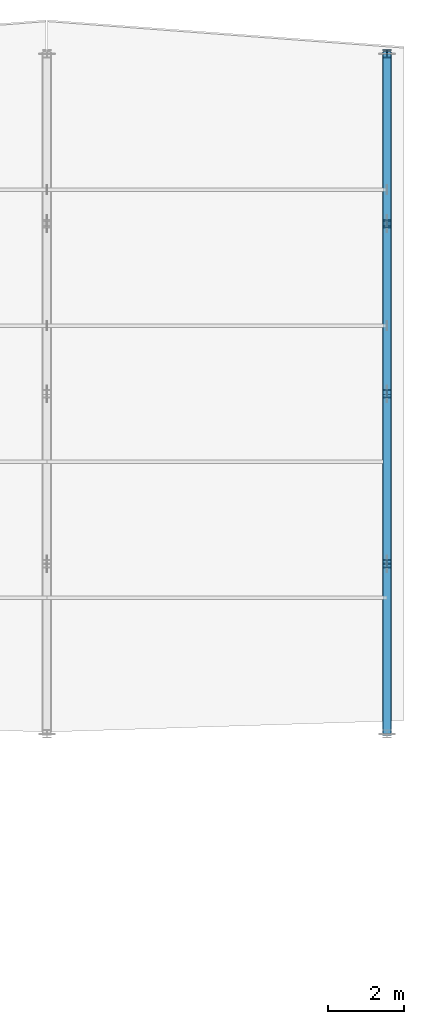
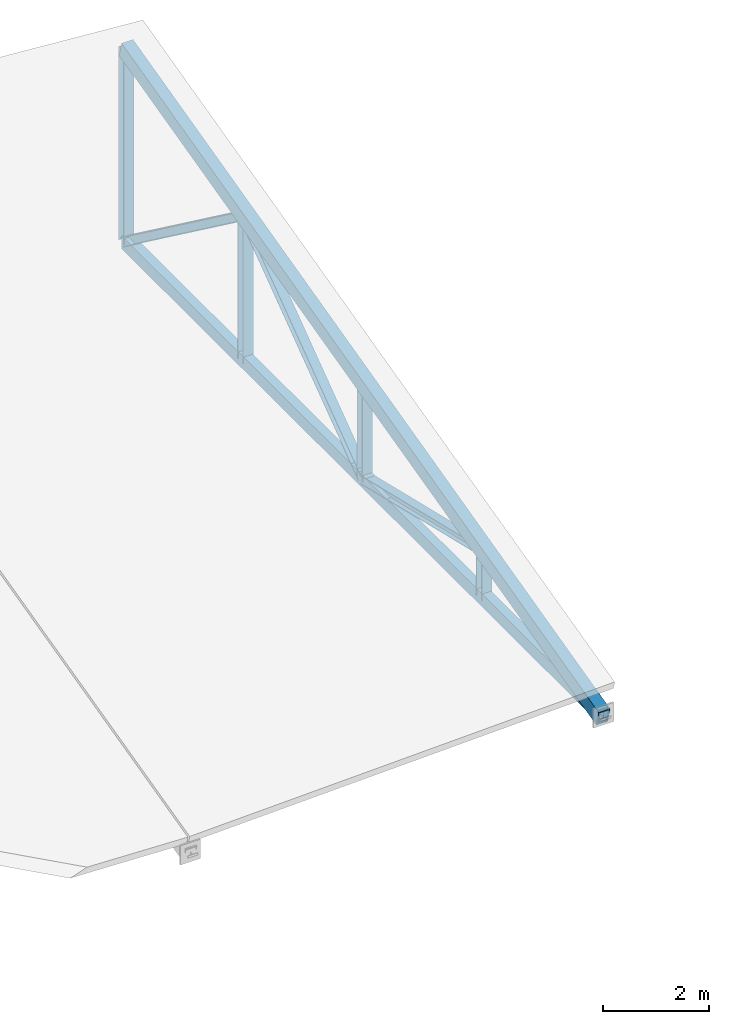
# One storey, part 13 of 36: 10 members.
"""IFC4 building model written with IfcOpenShell, lengths in metres."""

import ifcopenshell
import ifcopenshell.guid

model = None  # the IFC model being written
_history = None  # IfcOwnerHistory: only IFC2X3 demands one
_inside = {}  # id of a spatial element -> (the spatial element, [elements in it])
_under = {}  # id of a project, library or spatial element -> (it, [spatial elements below it])
_declared = {}  # id of a project -> (the project, [libraries it declares])
_typed = {}  # id of a type object -> (the type object, [elements of that type])
_made_of = {}  # id of a material, layer set ... -> (it, [elements and type objects made of it])


def new_model(schema):
    """Start an empty IFC model of exactly this schema.

    Asked for "IFC4X3", IfcOpenShell would pick the latest addendum, in which some entities
    have other attributes; the version numbers below select the first issue.
    IFC2X3 requires an IfcOwnerHistory on every rooted entity: one is made here for all.
    """
    global model, _history
    if schema == "IFC4X3":
        model = ifcopenshell.file(schema_version=(4, 3, 0, 0))
    else:
        model = ifcopenshell.file(schema=schema)
    _inside.clear()
    _under.clear()
    _declared.clear()
    _typed.clear()
    _made_of.clear()
    _history = None
    if model.schema == "IFC2X3":
        org = make("IfcOrganization", Name="unknown")
        user = make(
            "IfcPersonAndOrganization",
            ThePerson=make("IfcPerson", FamilyName="unknown"),
            TheOrganization=org,
        )
        app = make(
            "IfcApplication",
            ApplicationDeveloper=org,
            Version="unknown",
            ApplicationFullName="unknown",
            ApplicationIdentifier="unknown",
        )
        _history = make(
            "IfcOwnerHistory",
            OwningUser=user,
            OwningApplication=app,
            ChangeAction="ADDED",
            CreationDate=0,
        )
    return model


def make(cls, **values):
    """One entity of the class cls with the attributes given. An attribute that is None is left unset."""
    return model.create_entity(
        cls, **{name: value for name, value in values.items() if value is not None}
    )


def rooted(cls, **values):
    """An entity with a GlobalId (a new one), such as an element, a storey or a relation."""
    return make(cls, GlobalId=ifcopenshell.guid.new(), OwnerHistory=_history, **values)


def si_unit(unit_type, name, prefix=None):
    """IfcSIUnit, for example si_unit("LENGTHUNIT", "METRE", prefix="MILLI")."""
    return make("IfcSIUnit", UnitType=unit_type, Prefix=prefix, Name=name)


def assignment(units):
    """IfcUnitAssignment: the units of a project."""
    return None if units is None else make("IfcUnitAssignment", Units=units)


def point(xyz):
    """IfcCartesianPoint."""
    return None if xyz is None else make("IfcCartesianPoint", Coordinates=xyz)


def direction(xyz):
    """IfcDirection."""
    return None if xyz is None else make("IfcDirection", DirectionRatios=xyz)


def frame(location, z_axis=None, x_axis=None):
    """IfcAxis2Placement3D, a coordinate frame: its origin and axes. An axis left out is left unset."""
    return make(
        "IfcAxis2Placement3D",
        Location=point(location),
        Axis=direction(z_axis),
        RefDirection=direction(x_axis),
    )


def frame_2d(location, x_axis=None):
    """IfcAxis2Placement2D, a coordinate frame in the plane: its origin and x axis."""
    return make(
        "IfcAxis2Placement2D", Location=point(location), RefDirection=direction(x_axis)
    )


def origin():
    """The frame at (0, 0, 0) with its axes left unset."""
    return frame((0.0, 0.0, 0.0))


def origin_2d():
    """The frame at (0, 0) in the plane with its x axis left unset."""
    return frame_2d((0.0, 0.0))


def place(relative_to, where):
    """IfcLocalPlacement: puts the frame where relative to a parent placement (None: the world)."""
    return make(
        "IfcLocalPlacement", PlacementRelTo=relative_to, RelativePlacement=where
    )


def context(
    kind, dimensions, precision=None, world=None, true_north=None, identifier=None
):
    """IfcGeometricRepresentationContext, for example the 3D "Model" context."""
    return make(
        "IfcGeometricRepresentationContext",
        ContextIdentifier=identifier,
        ContextType=kind,
        CoordinateSpaceDimension=dimensions,
        Precision=precision,
        WorldCoordinateSystem=world,
        TrueNorth=true_north,
    )


def subcontext(parent, identifier, kind, view, scale=None):
    """IfcGeometricRepresentationSubContext, for example "Body" below "Model"."""
    return make(
        "IfcGeometricRepresentationSubContext",
        ContextIdentifier=identifier,
        ContextType=kind,
        ParentContext=parent,
        TargetScale=scale,
        TargetView=view,
    )


def project(units=None, contexts=None):
    """IfcProject with its units and contexts."""
    return rooted(
        "IfcProject",
        Name="project",
        RepresentationContexts=contexts,
        UnitsInContext=assignment(units),
    )


def spatial(cls, under=None, at=None, **own):
    """A site, building, storey or space (cls), placed at a placement, below another one or the project."""
    s = rooted(cls, ObjectPlacement=at, **own)
    if under is not None:
        _under.setdefault(under.id(), (under, []))[1].append(s)
    return s


def profile(cls, at=None, kind="AREA", **sizes):
    """A parametric profile (cls). Its sizes go by their IFC names, for example OverallWidth=200.0."""
    return make(cls, ProfileType=kind, Position=at, **sizes)


def hollow_rectangle(**sizes):
    """IfcRectangleHollowProfileDef."""
    return profile("IfcRectangleHollowProfileDef", **sizes)


def i_section(**sizes):
    """IfcIShapeProfileDef."""
    return profile("IfcIShapeProfileDef", **sizes)


def extrude(swept, where, along, depth):
    """IfcExtrudedAreaSolid: the profile swept, set in the frame where, extruded along a direction by depth."""
    return make(
        "IfcExtrudedAreaSolid",
        SweptArea=swept,
        Position=where,
        ExtrudedDirection=direction(along),
        Depth=depth,
    )


def shape(context_of_items, identifier, shape_type, items):
    """IfcShapeRepresentation: the items that make up one representation, for example the "Body"."""
    return make(
        "IfcShapeRepresentation",
        ContextOfItems=context_of_items,
        RepresentationIdentifier=identifier,
        RepresentationType=shape_type,
        Items=items,
    )


def material(Name=None, Category=None):
    """IfcMaterial."""
    return make("IfcMaterial", Name=Name, Category=Category)


def material_profile(
    of_material, cross_section, Name=None, Category=None, Priority=None
):
    """IfcMaterialProfile: a cross section and its material."""
    return make(
        "IfcMaterialProfile",
        Name=Name,
        Material=of_material,
        Profile=cross_section,
        Priority=Priority,
        Category=Category,
    )


def profile_set(profiles, Name=None, composite=None):
    """IfcMaterialProfileSet."""
    return make(
        "IfcMaterialProfileSet",
        Name=Name,
        MaterialProfiles=profiles,
        CompositeProfile=composite,
    )


def made_of(thing, what):
    """Note that an element or type object is made of a material, layer set ...; save() writes the relation."""
    if what is not None:
        _made_of.setdefault(what.id(), (what, []))[1].append(thing)
    return thing


def type_object(cls, material=None, **own):
    """A type object (cls), such as IfcWallType, which elements share."""
    return made_of(rooted(cls, **own), material)


def element(
    cls,
    number,
    at=None,
    inside=None,
    cuts=None,
    type_object=None,
    material=None,
    context=None,
    identifier="Body",
    shape_type=None,
    held_by="IfcProductDefinitionShape",
    body=None,
    shapes=None,
    **own,
):
    """One element of the class cls, such as IfcWall. Its Tag is "e" and its number.

    at: its placement. inside: the storey or other place that contains it. cuts: it is an
    opening in that element (IfcRelVoidsElement). A single representation is given by context,
    identifier, shape_type and body (its items); several are given by shapes. held_by: the class
    of the entity that holds the representations. save() writes the other relations.
    """
    e = rooted(cls, Tag="e%d" % number, ObjectPlacement=at, **own)
    if body is not None:
        shapes = [shape(context, identifier, shape_type, body)]
    if shapes is not None:
        e.Representation = make(held_by, Representations=shapes)
    if inside is not None:
        _inside.setdefault(inside.id(), (inside, []))[1].append(e)
    if cuts is not None:
        rooted(
            "IfcRelVoidsElement", RelatingBuildingElement=cuts, RelatedOpeningElement=e
        )
    if type_object is not None:
        _typed.setdefault(type_object.id(), (type_object, []))[1].append(e)
    return made_of(e, material)


def aggregate(whole, parts):
    """IfcRelAggregates: a whole, such as a stair, and the parts it consists of."""
    return rooted("IfcRelAggregates", RelatingObject=whole, RelatedObjects=parts)


def save(model, path):
    """Write the relations noted so far, then the file.

    IfcRelAggregates (storeys below a building ...), IfcRelContainedInSpatialStructure (elements
    in a storey), IfcRelDefinesByType, IfcRelAssociatesMaterial and IfcRelDeclares: one each for
    every whole, place, type object, material and project.
    """
    for whole, parts in _under.values():
        aggregate(whole, parts)
    for where, things in _inside.values():
        rooted(
            "IfcRelContainedInSpatialStructure",
            RelatedElements=things,
            RelatingStructure=where,
        )
    for kind, things in _typed.values():
        rooted("IfcRelDefinesByType", RelatedObjects=things, RelatingType=kind)
    for what, things in _made_of.values():
        rooted("IfcRelAssociatesMaterial", RelatedObjects=things, RelatingMaterial=what)
    for by, libraries in _declared.values():
        rooted("IfcRelDeclares", RelatingContext=by, RelatedDefinitions=libraries)
    model.write(path)


model = new_model("IFC4")

# Units and contexts
model_context = context("Model", 3, precision=1e-05, world=origin(), true_north=direction((0.0, 1.0)))
body_context = subcontext(model_context, "Body", "Model", "MODEL_VIEW")
ifc_project = project(units=[si_unit("LENGTHUNIT", "METRE"), si_unit("AREAUNIT", "SQUARE_METRE"), si_unit("VOLUMEUNIT", "CUBIC_METRE"), si_unit("PLANEANGLEUNIT", "RADIAN"), si_unit("MASSUNIT", "GRAM", prefix="KILO")], contexts=[model_context])

# Site, building, storey
site_placement = place(None, origin())
site = spatial("IfcSite", under=ifc_project, at=site_placement, CompositionType="ELEMENT")
building_placement = place(site_placement, origin())
building = spatial("IfcBuilding", under=site, at=building_placement, Name="Montelvaro Courts of Justice", CompositionType="ELEMENT")
storey_placement = place(building_placement, frame((0.0, 0.0, 23.39990234375)))
storey = spatial("IfcBuildingStorey", under=building, at=storey_placement, Name="L05", CompositionType="ELEMENT", Elevation=23.39990234375)

# Members
ifc_material = material(Name="Steel S355", Category="steel")
ifc_material_profile_1 = material_profile(ifc_material, i_section(OverallWidth=0.199951171875, OverallDepth=0.18994140625, WebThickness=0.006591796875, FlangeThickness=0.010009765625, at=origin_2d()), Name="HEA 200")
ifc_profile_set_1 = profile_set([ifc_material_profile_1], Name="Steel S355")
member_type_1 = type_object("IfcMemberType", Name="Mem_HEA200_Brace", PredefinedType="BRACE", material=ifc_profile_set_1)
for number, where, z_axis, x_axis, name in (
    (1, (162.0, 78.0, -0.2998046875), (0.0, 0.97263439265, 0.232340995597), (-1.0, 0.0, 0.0), "Roof Truss Web MB-02 ROOF-V2-VTR08-W1"),
    (2, (162.0, 82.5, 0.775146484375), (0.0, 0.97263439265, -0.232340995597), (-1.0, 0.0, 0.0), "Roof Truss Web MB-02 ROOF-V2-VTR08-W2"),
):
    element("IfcMember", number, at=place(storey_placement, frame(where, z_axis=z_axis, x_axis=x_axis)), inside=storey, type_object=member_type_1, Name=name, PredefinedType="BRACE", context=body_context, shape_type="SweptSolid", body=[
        extrude(i_section(OverallWidth=0.199951171875, OverallDepth=0.18994140625, WebThickness=0.006591796875, FlangeThickness=0.010009765625, at=origin_2d()), origin(), (0.0, 0.0, 1.0), 4.626708984375),
    ])
for number, where, z_axis, x_axis, name in (
    (3, (162.0, 87.0, -0.2998046875), (0.0, 0.804273161752, 0.594259775928), (-1.0, 0.0, 0.0), "Roof Truss Web MB-02 ROOF-V2-VTR08-W3"),
    (4, (162.0, 91.5, 3.025146484375), (0.0, 0.804273161752, -0.594259775928), (-1.0, 0.0, 0.0), "Roof Truss Web MB-02 ROOF-V2-VTR08-W4"),
):
    element("IfcMember", number, at=place(storey_placement, frame(where, z_axis=z_axis, x_axis=x_axis)), inside=storey, type_object=member_type_1, Name=name, PredefinedType="BRACE", context=body_context, shape_type="SweptSolid", body=[
        extrude(i_section(OverallWidth=0.199951171875, OverallDepth=0.18994140625, WebThickness=0.006591796875, FlangeThickness=0.010009765625, at=origin_2d()), origin(), (0.0, 0.0, 1.0), 5.59521484375),
    ])
ifc_material_profile_2 = material_profile(ifc_material, i_section(OverallWidth=0.219970703125, OverallDepth=0.2099609375, WebThickness=0.007080078125, FlangeThickness=0.010986328125, at=origin_2d()), Name="HEA 220")
ifc_profile_set_2 = profile_set([ifc_material_profile_2], Name="Steel S355")
member_type_2 = type_object("IfcMemberType", Name="Mem_HEA220_Post", PredefinedType="POST", material=ifc_profile_set_2)
member_1_placement = place(storey_placement, frame((162.0, 82.5, -0.2998046875), z_axis=(0.0, 0.0, 1.0), x_axis=(1.0, 0.0, 0.0)))
element("IfcMember", 5, at=member_1_placement, inside=storey, type_object=member_type_2, Name="Roof Truss Post MP-03 ROOF-V2-VTR08-V1", PredefinedType="POST", context=body_context, shape_type="SweptSolid", body=[
    extrude(i_section(OverallWidth=0.219970703125, OverallDepth=0.2099609375, WebThickness=0.007080078125, FlangeThickness=0.010986328125, at=origin_2d()), origin(), (0.0, 0.0, 1.0), 1.074951171875),
])
member_2_placement = place(storey_placement, frame((162.0, 87.0, -0.2998046875), z_axis=(0.0, 0.0, 1.0), x_axis=(1.0, 0.0, 0.0)))
element("IfcMember", 6, at=member_2_placement, inside=storey, type_object=member_type_2, Name="Roof Truss Post MP-03 ROOF-V2-VTR08-V2", PredefinedType="POST", context=body_context, shape_type="SweptSolid", body=[
    extrude(i_section(OverallWidth=0.219970703125, OverallDepth=0.2099609375, WebThickness=0.007080078125, FlangeThickness=0.010986328125, at=origin_2d()), origin(), (0.0, 0.0, 1.0), 2.199951171875),
])
member_3_placement = place(storey_placement, frame((162.0, 91.5, -0.2998046875), z_axis=(0.0, 0.0, 1.0), x_axis=(1.0, 0.0, 0.0)))
element("IfcMember", 7, at=member_3_placement, inside=storey, type_object=member_type_2, Name="Roof Truss Post MP-03 ROOF-V2-VTR08-V3", PredefinedType="POST", context=body_context, shape_type="SweptSolid", body=[
    extrude(i_section(OverallWidth=0.219970703125, OverallDepth=0.2099609375, WebThickness=0.007080078125, FlangeThickness=0.010986328125, at=origin_2d()), origin(), (0.0, 0.0, 1.0), 3.324951171875),
])
member_4_placement = place(storey_placement, frame((162.0, 96.0, -0.2998046875), z_axis=(0.0, 0.0, 1.0), x_axis=(1.0, 0.0, 0.0)))
element("IfcMember", 8, at=member_4_placement, inside=storey, type_object=member_type_2, Name="Roof Truss Post MP-03 ROOF-V2-VTR08-V4", PredefinedType="POST", context=body_context, shape_type="SweptSolid", body=[
    extrude(i_section(OverallWidth=0.219970703125, OverallDepth=0.2099609375, WebThickness=0.007080078125, FlangeThickness=0.010986328125, at=origin_2d()), origin(), (0.0, 0.0, 1.0), 4.449951171875),
])
ifc_material_profile_3 = material_profile(ifc_material, hollow_rectangle(XDim=0.199951171875, YDim=0.300048828125, WallThickness=0.012451171875, at=origin_2d()), Name="RHS 300x200x12.5")
ifc_profile_set_3 = profile_set([ifc_material_profile_3], Name="Steel S355")
member_type_3 = type_object("IfcMemberType", Name="Mem_RHS300_Chord", PredefinedType="CHORD", material=ifc_profile_set_3)
member_5_placement = place(storey_placement, frame((162.0, 78.0, -0.2998046875), z_axis=(0.0, 1.0, 0.0), x_axis=(-1.0, 0.0, 0.0)))
element("IfcMember", 9, at=member_5_placement, inside=storey, type_object=member_type_3, Name="Roof Truss ROOF-V2-VTR08 Bottom Chord", PredefinedType="CHORD", context=body_context, shape_type="SweptSolid", body=[
    extrude(hollow_rectangle(XDim=0.199951171875, YDim=0.300048828125, WallThickness=0.012451171875, at=origin_2d()), origin(), (0.0, 0.0, 1.0), 18.0),
])
ifc_material_profile_4 = material_profile(ifc_material, hollow_rectangle(XDim=0.25, YDim=0.35009765625, WallThickness=0.012451171875, at=origin_2d()), Name="RHS 350x250x12.5")
ifc_profile_set_4 = profile_set([ifc_material_profile_4], Name="Steel S355")
member_type_4 = type_object("IfcMemberType", Name="Mem_RHS350_Chord", PredefinedType="CHORD", material=ifc_profile_set_4)
member_6_placement = place(storey_placement, frame((162.0, 78.0, -0.349853515625), z_axis=(0.0, 0.970142500145, 0.242535625036), x_axis=(-1.0, 0.0, 0.0)))
element("IfcMember", 10, at=member_6_placement, inside=storey, type_object=member_type_4, Name="Roof Truss ROOF-V2-VTR08 Top Chord", PredefinedType="CHORD", context=body_context, shape_type="SweptSolid", body=[
    extrude(hollow_rectangle(XDim=0.25, YDim=0.35009765625, WallThickness=0.012451171875, at=origin_2d()), origin(), (0.0, 0.0, 1.0), 18.553955078125),
])

save(model, "model.ifc")
